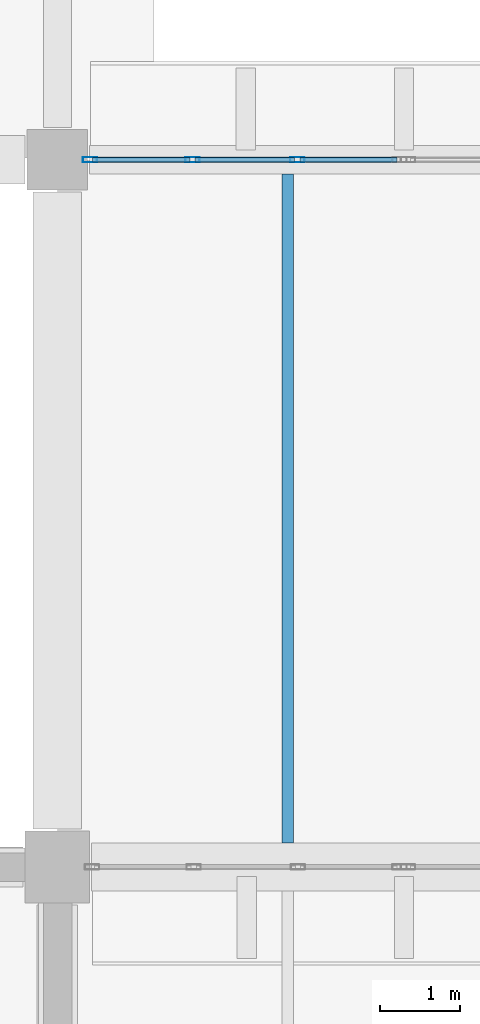
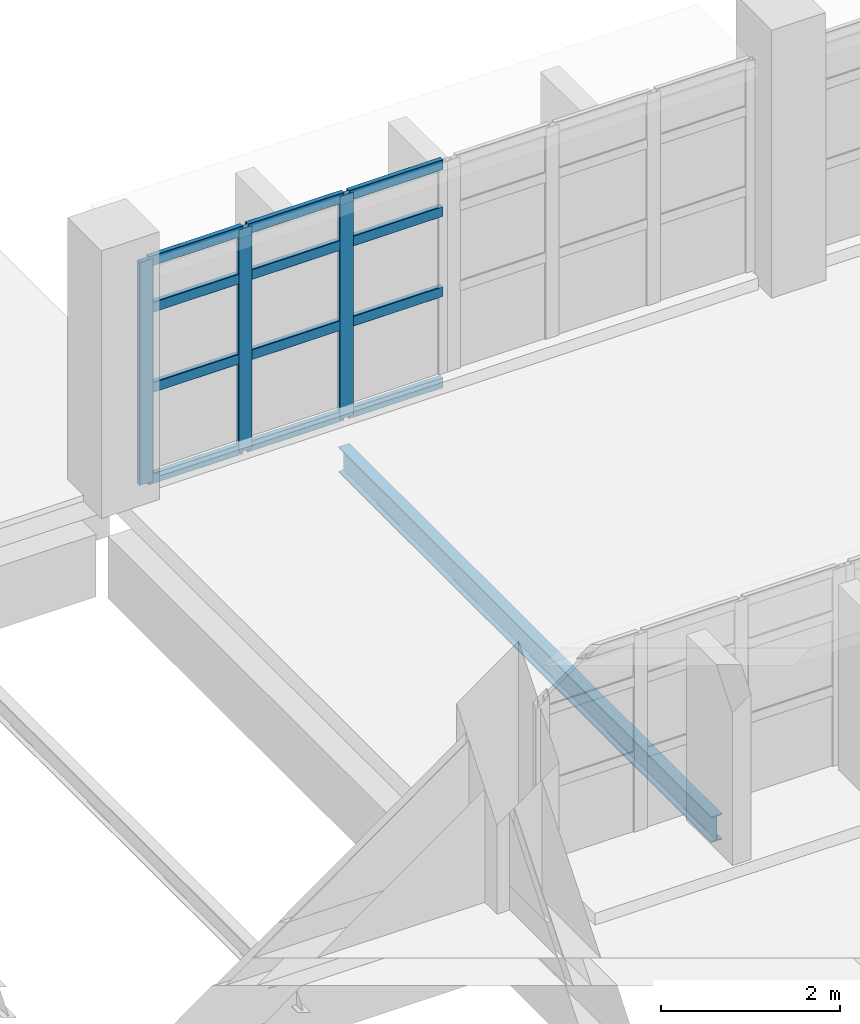
# One storey, part 22 of 80: 15 members, 1 beam, 1 element without a shape of its own.
"""IFC4 building model written with IfcOpenShell, lengths in metres."""

import ifcopenshell
import ifcopenshell.guid

model = None  # the IFC model being written
_history = None  # IfcOwnerHistory: only IFC2X3 demands one
_inside = {}  # id of a spatial element -> (the spatial element, [elements in it])
_under = {}  # id of a project, library or spatial element -> (it, [spatial elements below it])
_declared = {}  # id of a project -> (the project, [libraries it declares])
_typed = {}  # id of a type object -> (the type object, [elements of that type])
_made_of = {}  # id of a material, layer set ... -> (it, [elements and type objects made of it])


def new_model(schema):
    """Start an empty IFC model of exactly this schema.

    Asked for "IFC4X3", IfcOpenShell would pick the latest addendum, in which some entities
    have other attributes; the version numbers below select the first issue.
    IFC2X3 requires an IfcOwnerHistory on every rooted entity: one is made here for all.
    """
    global model, _history
    if schema == "IFC4X3":
        model = ifcopenshell.file(schema_version=(4, 3, 0, 0))
    else:
        model = ifcopenshell.file(schema=schema)
    _inside.clear()
    _under.clear()
    _declared.clear()
    _typed.clear()
    _made_of.clear()
    _history = None
    if model.schema == "IFC2X3":
        org = make("IfcOrganization", Name="unknown")
        user = make(
            "IfcPersonAndOrganization",
            ThePerson=make("IfcPerson", FamilyName="unknown"),
            TheOrganization=org,
        )
        app = make(
            "IfcApplication",
            ApplicationDeveloper=org,
            Version="unknown",
            ApplicationFullName="unknown",
            ApplicationIdentifier="unknown",
        )
        _history = make(
            "IfcOwnerHistory",
            OwningUser=user,
            OwningApplication=app,
            ChangeAction="ADDED",
            CreationDate=0,
        )
    return model


def make(cls, **values):
    """One entity of the class cls with the attributes given. An attribute that is None is left unset."""
    return model.create_entity(
        cls, **{name: value for name, value in values.items() if value is not None}
    )


def rooted(cls, **values):
    """An entity with a GlobalId (a new one), such as an element, a storey or a relation."""
    return make(cls, GlobalId=ifcopenshell.guid.new(), OwnerHistory=_history, **values)


def si_unit(unit_type, name, prefix=None):
    """IfcSIUnit, for example si_unit("LENGTHUNIT", "METRE", prefix="MILLI")."""
    return make("IfcSIUnit", UnitType=unit_type, Prefix=prefix, Name=name)


def assignment(units):
    """IfcUnitAssignment: the units of a project."""
    return None if units is None else make("IfcUnitAssignment", Units=units)


def point(xyz):
    """IfcCartesianPoint."""
    return None if xyz is None else make("IfcCartesianPoint", Coordinates=xyz)


def direction(xyz):
    """IfcDirection."""
    return None if xyz is None else make("IfcDirection", DirectionRatios=xyz)


def frame(location, z_axis=None, x_axis=None):
    """IfcAxis2Placement3D, a coordinate frame: its origin and axes. An axis left out is left unset."""
    return make(
        "IfcAxis2Placement3D",
        Location=point(location),
        Axis=direction(z_axis),
        RefDirection=direction(x_axis),
    )


def frame_2d(location, x_axis=None):
    """IfcAxis2Placement2D, a coordinate frame in the plane: its origin and x axis."""
    return make(
        "IfcAxis2Placement2D", Location=point(location), RefDirection=direction(x_axis)
    )


def origin():
    """The frame at (0, 0, 0) with its axes left unset."""
    return frame((0.0, 0.0, 0.0))


def origin_2d():
    """The frame at (0, 0) in the plane with its x axis left unset."""
    return frame_2d((0.0, 0.0))


def place(relative_to, where):
    """IfcLocalPlacement: puts the frame where relative to a parent placement (None: the world)."""
    return make(
        "IfcLocalPlacement", PlacementRelTo=relative_to, RelativePlacement=where
    )


def context(
    kind, dimensions, precision=None, world=None, true_north=None, identifier=None
):
    """IfcGeometricRepresentationContext, for example the 3D "Model" context."""
    return make(
        "IfcGeometricRepresentationContext",
        ContextIdentifier=identifier,
        ContextType=kind,
        CoordinateSpaceDimension=dimensions,
        Precision=precision,
        WorldCoordinateSystem=world,
        TrueNorth=true_north,
    )


def subcontext(parent, identifier, kind, view, scale=None):
    """IfcGeometricRepresentationSubContext, for example "Body" below "Model"."""
    return make(
        "IfcGeometricRepresentationSubContext",
        ContextIdentifier=identifier,
        ContextType=kind,
        ParentContext=parent,
        TargetScale=scale,
        TargetView=view,
    )


def project(units=None, contexts=None):
    """IfcProject with its units and contexts."""
    return rooted(
        "IfcProject",
        Name="project",
        RepresentationContexts=contexts,
        UnitsInContext=assignment(units),
    )


def spatial(cls, under=None, at=None, **own):
    """A site, building, storey or space (cls), placed at a placement, below another one or the project."""
    s = rooted(cls, ObjectPlacement=at, **own)
    if under is not None:
        _under.setdefault(under.id(), (under, []))[1].append(s)
    return s


def profile(cls, at=None, kind="AREA", **sizes):
    """A parametric profile (cls). Its sizes go by their IFC names, for example OverallWidth=200.0."""
    return make(cls, ProfileType=kind, Position=at, **sizes)


def hollow_rectangle(**sizes):
    """IfcRectangleHollowProfileDef."""
    return profile("IfcRectangleHollowProfileDef", **sizes)


def i_section(**sizes):
    """IfcIShapeProfileDef."""
    return profile("IfcIShapeProfileDef", **sizes)


def extrude(swept, where, along, depth):
    """IfcExtrudedAreaSolid: the profile swept, set in the frame where, extruded along a direction by depth."""
    return make(
        "IfcExtrudedAreaSolid",
        SweptArea=swept,
        Position=where,
        ExtrudedDirection=direction(along),
        Depth=depth,
    )


def shape(context_of_items, identifier, shape_type, items):
    """IfcShapeRepresentation: the items that make up one representation, for example the "Body"."""
    return make(
        "IfcShapeRepresentation",
        ContextOfItems=context_of_items,
        RepresentationIdentifier=identifier,
        RepresentationType=shape_type,
        Items=items,
    )


def material(Name=None, Category=None):
    """IfcMaterial."""
    return make("IfcMaterial", Name=Name, Category=Category)


def material_profile(
    of_material, cross_section, Name=None, Category=None, Priority=None
):
    """IfcMaterialProfile: a cross section and its material."""
    return make(
        "IfcMaterialProfile",
        Name=Name,
        Material=of_material,
        Profile=cross_section,
        Priority=Priority,
        Category=Category,
    )


def profile_set(profiles, Name=None, composite=None):
    """IfcMaterialProfileSet."""
    return make(
        "IfcMaterialProfileSet",
        Name=Name,
        MaterialProfiles=profiles,
        CompositeProfile=composite,
    )


def made_of(thing, what):
    """Note that an element or type object is made of a material, layer set ...; save() writes the relation."""
    if what is not None:
        _made_of.setdefault(what.id(), (what, []))[1].append(thing)
    return thing


def type_object(cls, material=None, **own):
    """A type object (cls), such as IfcWallType, which elements share."""
    return made_of(rooted(cls, **own), material)


def element(
    cls,
    number,
    at=None,
    inside=None,
    cuts=None,
    type_object=None,
    material=None,
    context=None,
    identifier="Body",
    shape_type=None,
    held_by="IfcProductDefinitionShape",
    body=None,
    shapes=None,
    **own,
):
    """One element of the class cls, such as IfcWall. Its Tag is "e" and its number.

    at: its placement. inside: the storey or other place that contains it. cuts: it is an
    opening in that element (IfcRelVoidsElement). A single representation is given by context,
    identifier, shape_type and body (its items); several are given by shapes. held_by: the class
    of the entity that holds the representations. save() writes the other relations.
    """
    e = rooted(cls, Tag="e%d" % number, ObjectPlacement=at, **own)
    if body is not None:
        shapes = [shape(context, identifier, shape_type, body)]
    if shapes is not None:
        e.Representation = make(held_by, Representations=shapes)
    if inside is not None:
        _inside.setdefault(inside.id(), (inside, []))[1].append(e)
    if cuts is not None:
        rooted(
            "IfcRelVoidsElement", RelatingBuildingElement=cuts, RelatedOpeningElement=e
        )
    if type_object is not None:
        _typed.setdefault(type_object.id(), (type_object, []))[1].append(e)
    return made_of(e, material)


def aggregate(whole, parts):
    """IfcRelAggregates: a whole, such as a stair, and the parts it consists of."""
    return rooted("IfcRelAggregates", RelatingObject=whole, RelatedObjects=parts)


def save(model, path):
    """Write the relations noted so far, then the file.

    IfcRelAggregates (storeys below a building ...), IfcRelContainedInSpatialStructure (elements
    in a storey), IfcRelDefinesByType, IfcRelAssociatesMaterial and IfcRelDeclares: one each for
    every whole, place, type object, material and project.
    """
    for whole, parts in _under.values():
        aggregate(whole, parts)
    for where, things in _inside.values():
        rooted(
            "IfcRelContainedInSpatialStructure",
            RelatedElements=things,
            RelatingStructure=where,
        )
    for kind, things in _typed.values():
        rooted("IfcRelDefinesByType", RelatedObjects=things, RelatingType=kind)
    for what, things in _made_of.values():
        rooted("IfcRelAssociatesMaterial", RelatedObjects=things, RelatingMaterial=what)
    for by, libraries in _declared.values():
        rooted("IfcRelDeclares", RelatingContext=by, RelatedDefinitions=libraries)
    model.write(path)


model = new_model("IFC4")

# Units and contexts
model_context = context("Model", 3, precision=1e-05, world=origin(), true_north=direction((0.0, 1.0)))
body_context = subcontext(model_context, "Body", "Model", "MODEL_VIEW")
ifc_project = project(units=[si_unit("LENGTHUNIT", "METRE"), si_unit("AREAUNIT", "SQUARE_METRE"), si_unit("VOLUMEUNIT", "CUBIC_METRE"), si_unit("PLANEANGLEUNIT", "RADIAN"), si_unit("MASSUNIT", "GRAM", prefix="KILO")], contexts=[model_context])

# Site, building, storey
site_placement = place(None, origin())
site = spatial("IfcSite", under=ifc_project, at=site_placement, CompositionType="ELEMENT")
building_placement = place(site_placement, origin())
building = spatial("IfcBuilding", under=site, at=building_placement, Name="Varnakota Cinema and Media Centre", CompositionType="ELEMENT")
storey_placement = place(building_placement, frame((0.0, 0.0, 4.5)))
storey = spatial("IfcBuildingStorey", under=building, at=storey_placement, Name="L01", CompositionType="ELEMENT", Elevation=4.5)

# Beam
ifc_material_1 = material(Name="Structural steel Grade 350 (E350)", Category="steel")
ifc_material_profile_1 = material_profile(ifc_material_1, i_section(OverallWidth=0.139892578125, OverallDepth=0.35009765625, WebThickness=0.008056640625, FlangeThickness=0.01416015625, FilletRadius=0.013916015625, at=origin_2d()), Name="ISMB 350")
ifc_profile_set_1 = profile_set([ifc_material_profile_1], Name="Structural steel Grade 350 (E350)")
beam_type = type_object("IfcBeamType", Name="BM-ST-ISMB350", PredefinedType="JOIST", material=ifc_profile_set_1)
beam_placement = place(storey_placement, frame((45.86669921875, 35.5, -0.425048828125), z_axis=(0.0, 1.0, 0.0), x_axis=(-1.0, 0.0, 0.0)))
element("IfcBeam", 1, at=beam_placement, inside=storey, type_object=beam_type, Name="L01 steel joist F-G/5-6 #1", PredefinedType="JOIST", context=body_context, shape_type="SweptSolid", body=[
    extrude(i_section(OverallWidth=0.139892578125, OverallDepth=0.35009765625, WebThickness=0.008056640625, FlangeThickness=0.01416015625, FilletRadius=0.013916015625, at=origin_2d()), origin(), (0.0, 0.0, 1.0), 8.324951171875),
])

# Curtain wall, members
ifc_material_2 = material(Name="Thermally broken anodised aluminium AW-6063", Category="aluminium")
curtain_wall_type = type_object("IfcCurtainWallType", Name="CW-STD-392x304", PredefinedType="USERDEFINED", material=ifc_material_2)
curtain_wall_placement = place(storey_placement, origin())
curtain_wall = element("IfcCurtainWall", 2, at=curtain_wall_placement, inside=storey, type_object=curtain_wall_type, Name="L01 curtain wall CW-L01-LINK-N-01-1", ObjectType="UNITISED CURTAIN WALL", PredefinedType="USERDEFINED")
ifc_material_3 = material(Name="Thermally broken anodised aluminium AW-6063", Category="aluminium")
ifc_material_profile_2 = material_profile(ifc_material_3, hollow_rectangle(XDim=0.06494140625, YDim=0.179931640625, WallThickness=0.00390625, InnerFilletRadius=0.00390625, OuterFilletRadius=0.008056640625, at=origin_2d()), Name="AL-MULLION 180x65x4")
ifc_profile_set_2 = profile_set([ifc_material_profile_2], Name="Thermally broken anodised aluminium AW-6063")
member_type_1 = type_object("IfcMemberType", Name="CWM-AL-180", PredefinedType="MULLION", material=ifc_profile_set_2)
member_1_placement = place(storey_placement, frame((43.407470703125, 44.0, 0.0), z_axis=(0.0, 0.0, 1.0), x_axis=(0.0, 1.0, 0.0)))
member_1 = element("IfcMember", 3, at=member_1_placement, type_object=member_type_1, Name="CW18 mullion 1", PredefinedType="MULLION", context=body_context, shape_type="SweptSolid", body=[
    extrude(hollow_rectangle(XDim=0.06494140625, YDim=0.179931640625, WallThickness=0.00390625, InnerFilletRadius=0.00390625, OuterFilletRadius=0.008056640625, at=origin_2d()), origin(), (0.0, 0.0, 1.0), 3.034912109375),
])
member_2_placement = place(storey_placement, frame((44.680908203125, 44.0, 0.0), z_axis=(0.0, 0.0, 1.0), x_axis=(0.0, 1.0, 0.0)))
member_2 = element("IfcMember", 4, at=member_2_placement, type_object=member_type_1, Name="CW18 mullion 2", PredefinedType="MULLION", context=body_context, shape_type="SweptSolid", body=[
    extrude(hollow_rectangle(XDim=0.06494140625, YDim=0.179931640625, WallThickness=0.00390625, InnerFilletRadius=0.00390625, OuterFilletRadius=0.008056640625, at=origin_2d()), origin(), (0.0, 0.0, 1.0), 3.034912109375),
])
member_3_placement = place(storey_placement, frame((45.986572265625, 44.0, 0.0), z_axis=(0.0, 0.0, 1.0), x_axis=(0.0, 1.0, 0.0)))
member_3 = element("IfcMember", 5, at=member_3_placement, type_object=member_type_1, Name="CW18 mullion 3", PredefinedType="MULLION", context=body_context, shape_type="SweptSolid", body=[
    extrude(hollow_rectangle(XDim=0.06494140625, YDim=0.179931640625, WallThickness=0.00390625, InnerFilletRadius=0.00390625, OuterFilletRadius=0.008056640625, at=origin_2d()), origin(), (0.0, 0.0, 1.0), 3.034912109375),
])
ifc_material_4 = material(Name="Thermally broken anodised aluminium AW-6063", Category="aluminium")
ifc_material_profile_3 = material_profile(ifc_material_4, hollow_rectangle(XDim=0.06494140625, YDim=0.139892578125, WallThickness=0.00390625, InnerFilletRadius=0.00390625, OuterFilletRadius=0.008056640625, at=origin_2d()), Name="AL-TRANSOM 140x65x4")
ifc_profile_set_3 = profile_set([ifc_material_profile_3], Name="Thermally broken anodised aluminium AW-6063")
member_type_2 = type_object("IfcMemberType", Name="CWT-AL-140", PredefinedType="USERDEFINED", material=ifc_profile_set_3)
member_4_placement = place(storey_placement, frame((43.43994140625, 44.0, 0.032470703125), z_axis=(1.0, 0.0, 0.0), x_axis=(0.0, 1.0, 0.0)))
member_4 = element("IfcMember", 6, at=member_4_placement, type_object=member_type_2, Name="CW18 transom 1.1", ObjectType="TRANSOM", PredefinedType="USERDEFINED", context=body_context, shape_type="SweptSolid", body=[
    extrude(hollow_rectangle(XDim=0.06494140625, YDim=0.139892578125, WallThickness=0.00390625, InnerFilletRadius=0.00390625, OuterFilletRadius=0.008056640625, at=origin_2d()), origin(), (0.0, 0.0, 1.0), 1.20849609375),
])
member_5_placement = place(storey_placement, frame((43.43994140625, 44.0, 1.274658203125), z_axis=(1.0, 0.0, 0.0), x_axis=(0.0, 1.0, 0.0)))
member_5 = element("IfcMember", 7, at=member_5_placement, type_object=member_type_2, Name="CW18 transom 1.2", ObjectType="TRANSOM", PredefinedType="USERDEFINED", context=body_context, shape_type="SweptSolid", body=[
    extrude(hollow_rectangle(XDim=0.06494140625, YDim=0.139892578125, WallThickness=0.00390625, InnerFilletRadius=0.00390625, OuterFilletRadius=0.008056640625, at=origin_2d()), origin(), (0.0, 0.0, 1.0), 1.20849609375),
])
member_6_placement = place(storey_placement, frame((43.43994140625, 44.0, 2.3671875), z_axis=(1.0, 0.0, 0.0), x_axis=(0.0, 1.0, 0.0)))
member_6 = element("IfcMember", 8, at=member_6_placement, type_object=member_type_2, Name="CW18 transom 1.3", ObjectType="TRANSOM", PredefinedType="USERDEFINED", context=body_context, shape_type="SweptSolid", body=[
    extrude(hollow_rectangle(XDim=0.06494140625, YDim=0.139892578125, WallThickness=0.00390625, InnerFilletRadius=0.00390625, OuterFilletRadius=0.008056640625, at=origin_2d()), origin(), (0.0, 0.0, 1.0), 1.20849609375),
])
member_7_placement = place(storey_placement, frame((43.43994140625, 44.0, 3.00244140625), z_axis=(1.0, 0.0, 0.0), x_axis=(0.0, 1.0, 0.0)))
member_7 = element("IfcMember", 9, at=member_7_placement, type_object=member_type_2, Name="CW18 transom 1.4", ObjectType="TRANSOM", PredefinedType="USERDEFINED", context=body_context, shape_type="SweptSolid", body=[
    extrude(hollow_rectangle(XDim=0.06494140625, YDim=0.139892578125, WallThickness=0.00390625, InnerFilletRadius=0.00390625, OuterFilletRadius=0.008056640625, at=origin_2d()), origin(), (0.0, 0.0, 1.0), 1.20849609375),
])
member_8_placement = place(storey_placement, frame((44.71337890625, 44.0, 0.032470703125), z_axis=(1.0, 0.0, 0.0), x_axis=(0.0, 1.0, 0.0)))
member_8 = element("IfcMember", 10, at=member_8_placement, type_object=member_type_2, Name="CW18 transom 2.1", ObjectType="TRANSOM", PredefinedType="USERDEFINED", context=body_context, shape_type="SweptSolid", body=[
    extrude(hollow_rectangle(XDim=0.06494140625, YDim=0.139892578125, WallThickness=0.00390625, InnerFilletRadius=0.00390625, OuterFilletRadius=0.008056640625, at=origin_2d()), origin(), (0.0, 0.0, 1.0), 1.24072265625),
])
member_9_placement = place(storey_placement, frame((44.71337890625, 44.0, 1.274658203125), z_axis=(1.0, 0.0, 0.0), x_axis=(0.0, 1.0, 0.0)))
member_9 = element("IfcMember", 11, at=member_9_placement, type_object=member_type_2, Name="CW18 transom 2.2", ObjectType="TRANSOM", PredefinedType="USERDEFINED", context=body_context, shape_type="SweptSolid", body=[
    extrude(hollow_rectangle(XDim=0.06494140625, YDim=0.139892578125, WallThickness=0.00390625, InnerFilletRadius=0.00390625, OuterFilletRadius=0.008056640625, at=origin_2d()), origin(), (0.0, 0.0, 1.0), 1.24072265625),
])
member_10_placement = place(storey_placement, frame((44.71337890625, 44.0, 2.3671875), z_axis=(1.0, 0.0, 0.0), x_axis=(0.0, 1.0, 0.0)))
member_10 = element("IfcMember", 12, at=member_10_placement, type_object=member_type_2, Name="CW18 transom 2.3", ObjectType="TRANSOM", PredefinedType="USERDEFINED", context=body_context, shape_type="SweptSolid", body=[
    extrude(hollow_rectangle(XDim=0.06494140625, YDim=0.139892578125, WallThickness=0.00390625, InnerFilletRadius=0.00390625, OuterFilletRadius=0.008056640625, at=origin_2d()), origin(), (0.0, 0.0, 1.0), 1.24072265625),
])
member_11_placement = place(storey_placement, frame((44.71337890625, 44.0, 3.00244140625), z_axis=(1.0, 0.0, 0.0), x_axis=(0.0, 1.0, 0.0)))
member_11 = element("IfcMember", 13, at=member_11_placement, type_object=member_type_2, Name="CW18 transom 2.4", ObjectType="TRANSOM", PredefinedType="USERDEFINED", context=body_context, shape_type="SweptSolid", body=[
    extrude(hollow_rectangle(XDim=0.06494140625, YDim=0.139892578125, WallThickness=0.00390625, InnerFilletRadius=0.00390625, OuterFilletRadius=0.008056640625, at=origin_2d()), origin(), (0.0, 0.0, 1.0), 1.24072265625),
])
member_12_placement = place(storey_placement, frame((46.019287109375, 44.0, 0.032470703125), z_axis=(1.0, 0.0, 0.0), x_axis=(0.0, 1.0, 0.0)))
member_12 = element("IfcMember", 14, at=member_12_placement, type_object=member_type_2, Name="CW18 transom 3.1", ObjectType="TRANSOM", PredefinedType="USERDEFINED", context=body_context, shape_type="SweptSolid", body=[
    extrude(hollow_rectangle(XDim=0.06494140625, YDim=0.139892578125, WallThickness=0.00390625, InnerFilletRadius=0.00390625, OuterFilletRadius=0.008056640625, at=origin_2d()), origin(), (0.0, 0.0, 1.0), 1.208251953125),
])
member_13_placement = place(storey_placement, frame((46.019287109375, 44.0, 1.274658203125), z_axis=(1.0, 0.0, 0.0), x_axis=(0.0, 1.0, 0.0)))
member_13 = element("IfcMember", 15, at=member_13_placement, type_object=member_type_2, Name="CW18 transom 3.2", ObjectType="TRANSOM", PredefinedType="USERDEFINED", context=body_context, shape_type="SweptSolid", body=[
    extrude(hollow_rectangle(XDim=0.06494140625, YDim=0.139892578125, WallThickness=0.00390625, InnerFilletRadius=0.00390625, OuterFilletRadius=0.008056640625, at=origin_2d()), origin(), (0.0, 0.0, 1.0), 1.208251953125),
])
member_14_placement = place(storey_placement, frame((46.019287109375, 44.0, 2.3671875), z_axis=(1.0, 0.0, 0.0), x_axis=(0.0, 1.0, 0.0)))
member_14 = element("IfcMember", 16, at=member_14_placement, type_object=member_type_2, Name="CW18 transom 3.3", ObjectType="TRANSOM", PredefinedType="USERDEFINED", context=body_context, shape_type="SweptSolid", body=[
    extrude(hollow_rectangle(XDim=0.06494140625, YDim=0.139892578125, WallThickness=0.00390625, InnerFilletRadius=0.00390625, OuterFilletRadius=0.008056640625, at=origin_2d()), origin(), (0.0, 0.0, 1.0), 1.208251953125),
])
member_15_placement = place(storey_placement, frame((46.019287109375, 44.0, 3.00244140625), z_axis=(1.0, 0.0, 0.0), x_axis=(0.0, 1.0, 0.0)))
member_15 = element("IfcMember", 17, at=member_15_placement, type_object=member_type_2, Name="CW18 transom 3.4", ObjectType="TRANSOM", PredefinedType="USERDEFINED", context=body_context, shape_type="SweptSolid", body=[
    extrude(hollow_rectangle(XDim=0.06494140625, YDim=0.139892578125, WallThickness=0.00390625, InnerFilletRadius=0.00390625, OuterFilletRadius=0.008056640625, at=origin_2d()), origin(), (0.0, 0.0, 1.0), 1.208251953125),
])
aggregate(curtain_wall, [member_1, member_2, member_3, member_4, member_5, member_6, member_7, member_8, member_9, member_10, member_11, member_12, member_13, member_14, member_15])

save(model, "model.ifc")
